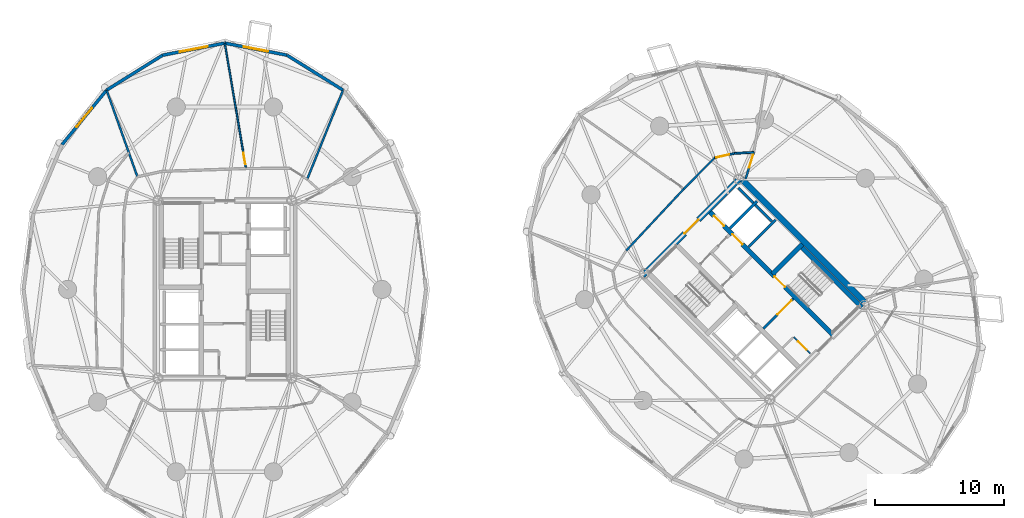
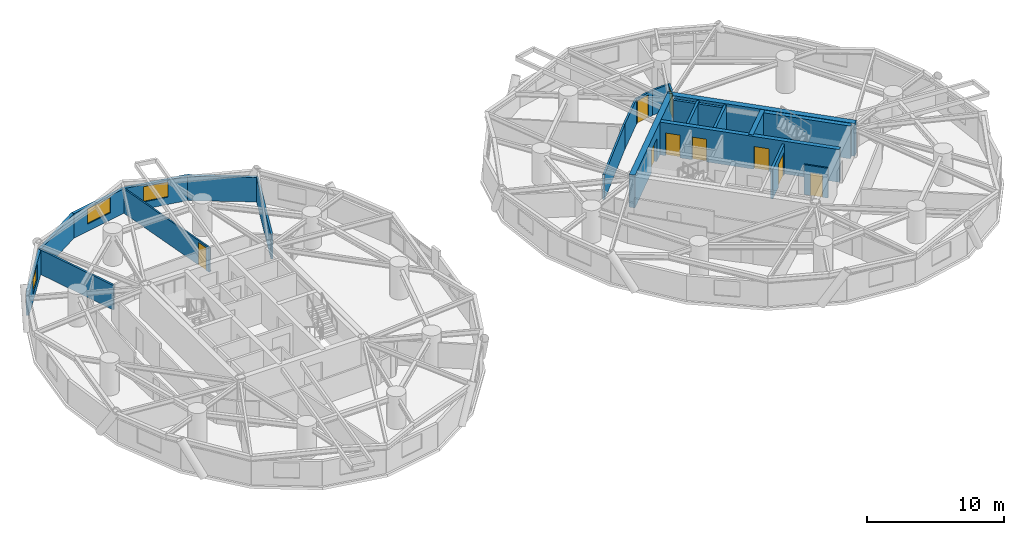
# One storey, part 13 of 17: 24 walls, 9 doors, 3 windows, 12 openings.
"""IFC4 building model written with IfcOpenShell, lengths in metres."""

from ifc_helpers import new_model, si_unit, direction, frame, frame_2d, origin, place, context, subcontext, project, spatial, rectangle, extrude, source, transform, mapped, material, layer, layer_set, type_object, element, fill, save


model = new_model("IFC4")

# Units and contexts
model_context = context("Model", 3, precision=1e-05, world=origin(), true_north=direction((0.0, 1.0)))
body_context = subcontext(model_context, "Body", "Model", "MODEL_VIEW")
ifc_project = project(units=[si_unit("LENGTHUNIT", "METRE"), si_unit("AREAUNIT", "SQUARE_METRE"), si_unit("VOLUMEUNIT", "CUBIC_METRE"), si_unit("PLANEANGLEUNIT", "RADIAN"), si_unit("MASSUNIT", "GRAM", prefix="KILO")], contexts=[model_context])

# Site, building, storey
site_placement = place(None, origin())
site = spatial("IfcSite", under=ifc_project, at=site_placement, CompositionType="ELEMENT")
building_placement = place(site_placement, origin())
building = spatial("IfcBuilding", under=site, at=building_placement, Name="Cununo Teusaquillo Station Towers", CompositionType="ELEMENT")
storey_placement = place(building_placement, frame((0.0, 0.0, 116.7099609375)))
storey = spatial("IfcBuildingStorey", under=building, at=storey_placement, Name="L37", CompositionType="ELEMENT", Elevation=116.7099609375)

# Walls
ifc_material_1 = material(Name="Concrete C50/60", Category="concrete")
ifc_layer_1 = layer(ifc_material_1, 0.199951171875)
ifc_layer_set_1 = layer_set([ifc_layer_1], Name="Concrete C50/60")
wall_type_1 = type_object("IfcWallType", Name="WL-CORE-200", PredefinedType="SHEAR", material=ifc_layer_set_1)
wall_1_placement = place(storey_placement, frame((57.0615234375, 27.781005859375, 0.0), z_axis=(0.0, 0.0, 1.0), x_axis=(0.707106781187, 0.707106781187, 0.0)))
element("IfcWall", 1, at=wall_1_placement, inside=storey, type_object=wall_type_1, Name="L37 Tower B Low-Rise Lift Hoistway South Shear Wall", PredefinedType="SHEAR", context=body_context, shape_type="SweptSolid", body=[
    extrude(rectangle(XDim=2.969970703125, YDim=0.199951171875, at=frame_2d((1.48486328125, 0.0))), origin(), (0.0, 0.0, 1.0), 2.91015625),
])
wall_2_placement = place(storey_placement, frame((55.615478515625, 29.22705078125, 0.0), z_axis=(0.0, 0.0, 1.0), x_axis=(0.707147878904, 0.70706568108, 0.0)))
element("IfcWall", 2, at=wall_2_placement, inside=storey, type_object=wall_type_1, Name="L37 Tower B Low-Rise Lift Hoistway Divider Shear Wall", PredefinedType="SHEAR", context=body_context, shape_type="SweptSolid", body=[
    extrude(rectangle(XDim=2.97021484375, YDim=0.199951171875, at=frame_2d((1.485107421875, 0.0))), origin(), (0.0, 0.0, 1.0), 2.91015625),
])
wall_3_placement = place(storey_placement, frame((58.86474609375, 29.75390625, 0.0), z_axis=(0.0, 0.0, 1.0), x_axis=(-0.707174411312, 0.707039144592, 0.0)))
element("IfcWall", 3, at=wall_3_placement, inside=storey, type_object=wall_type_1, Name="L37 Tower B Low-Rise Lift 1 Shaft Rear Shear Wall", PredefinedType="SHEAR", context=body_context, shape_type="SweptSolid", body=[
    extrude(rectangle(XDim=1.804931640625, YDim=0.199951171875, at=frame_2d((0.90234375, 0.0))), origin(), (0.0, 0.0, 1.0), 2.91015625),
])
wall_4_placement = place(storey_placement, frame((57.418701171875, 31.19970703125, 0.0), z_axis=(0.0, 0.0, 1.0), x_axis=(-0.707032117043, 0.707181437447, 0.0)))
element("IfcWall", 4, at=wall_4_placement, inside=storey, type_object=wall_type_1, Name="L37 Tower B Low-Rise Lift 2 Shaft Rear Shear Wall", PredefinedType="SHEAR", context=body_context, shape_type="SweptSolid", body=[
    extrude(rectangle(XDim=1.635009765625, YDim=0.199951171875, at=frame_2d((0.8173828125, 0.0))), origin(), (0.0, 0.0, 1.0), 2.91015625),
])

# Wall, openings, doors
ifc_material_2 = material(Name="Concrete C50/60", Category="concrete")
ifc_layer_2 = layer(ifc_material_2, 0.35009765625)
ifc_layer_set_2 = layer_set([ifc_layer_2], Name="Concrete C50/60")
wall_type_2 = type_object("IfcWallType", Name="WL-CORE-350", PredefinedType="SHEAR", material=ifc_layer_set_2)
wall_5_placement = place(storey_placement, frame((63.644775390625, 20.922119140625, 0.0), z_axis=(0.0, 0.0, 1.0), x_axis=(-0.707106781187, 0.707106781187, 0.0)))
wall_5 = element("IfcWall", 5, at=wall_5_placement, inside=storey, type_object=wall_type_2, Name="L37 Tower B Core Shear Wall IE", PredefinedType="SHEAR", context=body_context, shape_type="SweptSolid", body=[
    extrude(rectangle(XDim=13.75, YDim=0.35009765625, at=frame_2d((6.875, 0.0))), origin(), (0.0, 0.0, 1.0), 2.91015625),
])
shared_shape_1 = source(origin(), body_context, "Body", "SweptSolid", [
    extrude(rectangle(XDim=1.10009765625, YDim=2.014892578125, at=frame_2d((0.550048828125, 1.00732421875))), frame((0.0, 0.18505859375, 0.0), z_axis=(0.0, -1.0, 0.0), x_axis=(1.0, 0.0, 0.0)), (0.0, 0.0, 1.0), 0.3701171875),
])
opening_1_placement = place(wall_5_placement, frame((10.0, 0.0, 0.0)))
opening_1 = element("IfcOpeningElement", 6, at=opening_1_placement, cuts=wall_5, Name="Opening LD-01", PredefinedType="OPENING", context=body_context, shape_type="MappedRepresentation", body=[
    mapped(shared_shape_1, transform((0.0, 0.0, 0.0), x_axis=(1.0, 0.0, 0.0), y_axis=(0.0, 1.0, 0.0), z_axis=(0.0, 0.0, 1.0), scale=1.0)),
])
opening_2_placement = place(wall_5_placement, frame((12.0, 0.0, 0.0)))
opening_2 = element("IfcOpeningElement", 7, at=opening_2_placement, cuts=wall_5, Name="Opening LD-01", PredefinedType="OPENING", context=body_context, shape_type="MappedRepresentation", body=[
    mapped(shared_shape_1, transform((0.0, 0.0, 0.0), x_axis=(1.0, 0.0, 0.0), y_axis=(0.0, 1.0, 0.0), z_axis=(0.0, 0.0, 1.0), scale=1.0)),
])
shared_shape_2 = source(origin(), body_context, "Body", "SweptSolid", [
    extrude(rectangle(XDim=1.14990234375, YDim=2.02001953125, at=frame_2d((0.574951171875, 1.010009765625))), frame((0.0, 0.18505859375, 0.0), z_axis=(0.0, -1.0, 0.0), x_axis=(1.0, 0.0, 0.0)), (0.0, 0.0, 1.0), 0.3701171875),
])
opening_3_placement = place(wall_5_placement, frame((5.304931640625, 0.0, 0.0)))
opening_3 = element("IfcOpeningElement", 8, at=opening_3_placement, cuts=wall_5, Name="Opening D-ST1", PredefinedType="OPENING", context=body_context, shape_type="MappedRepresentation", body=[
    mapped(shared_shape_2, transform((0.0, 0.0, 0.0), x_axis=(1.0, 0.0, 0.0), y_axis=(0.0, 1.0, 0.0), z_axis=(0.0, 0.0, 1.0), scale=1.0)),
])
ifc_material_3 = material(Name="Galvanised fire-rated hollow steel door assembly", Category="steel")
door_type_1 = type_object("IfcDoorType", Name="DR-LIFT-1100", OperationType="SLIDING_TO_LEFT", PredefinedType="DOOR", material=ifc_material_3)
shared_shape_3 = source(origin(), body_context, "Body", "SweptSolid", [
    extrude(rectangle(XDim=1.10009765625, YDim=2.014892578125, at=frame_2d((0.550048828125, 1.00732421875))), frame((0.0, 0.02490234375, 0.0), z_axis=(0.0, -1.0, 0.0), x_axis=(1.0, 0.0, 0.0)), (0.0, 0.0, 1.0), 0.050048828125),
])
door_1_placement = place(opening_1_placement, origin())
door_1 = element("IfcDoor", 9, at=door_1_placement, inside=storey, type_object=door_type_1, Name="L37 Lift PL-T2-L1 Sliding Landing Door", OperationType="SLIDING_TO_LEFT", OverallHeight=2.014892578125, OverallWidth=1.10009765625, PredefinedType="DOOR", context=body_context, shape_type="MappedRepresentation", body=[
    mapped(shared_shape_3, transform((0.0, 0.0, 0.0), x_axis=(1.0, 0.0, 0.0), y_axis=(0.0, 1.0, 0.0), z_axis=(0.0, 0.0, 1.0), scale=1.0)),
])
fill(opening_1, door_1)
door_2_placement = place(opening_2_placement, origin())
door_2 = element("IfcDoor", 10, at=door_2_placement, inside=storey, type_object=door_type_1, Name="L37 Lift PL-T2-L2 Sliding Landing Door", OperationType="SLIDING_TO_RIGHT", OverallHeight=2.014892578125, OverallWidth=1.10009765625, PredefinedType="DOOR", context=body_context, shape_type="MappedRepresentation", body=[
    mapped(shared_shape_3, transform((0.0, 0.0, 0.0), x_axis=(1.0, 0.0, 0.0), y_axis=(0.0, 1.0, 0.0), z_axis=(0.0, 0.0, 1.0), scale=1.0)),
])
fill(opening_2, door_2)
ifc_material_4 = material(Name="Galvanised fire-rated hollow steel door assembly", Category="steel")
door_type_2 = type_object("IfcDoorType", Name="DR-STAIR-1150", OperationType="NOTDEFINED", PredefinedType="DOOR", material=ifc_material_4)
shared_shape_4 = source(origin(), body_context, "Body", "SweptSolid", [
    extrude(rectangle(XDim=1.14990234375, YDim=2.02001953125, at=frame_2d((0.574951171875, 1.010009765625))), frame((0.0, 0.02490234375, 0.0), z_axis=(0.0, -1.0, 0.0), x_axis=(1.0, 0.0, 0.0)), (0.0, 0.0, 1.0), 0.050048828125),
])
door_3_placement = place(opening_3_placement, origin())
door_3 = element("IfcDoor", 11, at=door_3_placement, inside=storey, type_object=door_type_2, Name="L37 Tower B Exit Stair 2 Fire Door", OperationType="SINGLE_SWING_RIGHT", OverallHeight=2.02001953125, OverallWidth=1.14990234375, PredefinedType="DOOR", context=body_context, shape_type="MappedRepresentation", body=[
    mapped(shared_shape_4, transform((0.0, 0.0, 0.0), x_axis=(1.0, 0.0, 0.0), y_axis=(0.0, 1.0, 0.0), z_axis=(0.0, 0.0, 1.0), scale=1.0)),
])
fill(opening_3, door_3)

# Walls
wall_6_placement = place(storey_placement, frame((65.82958984375, 23.10693359375, 0.0), z_axis=(0.0, 0.0, 1.0), x_axis=(-0.707088616009, 0.707124945897, 0.0)))
element("IfcWall", 12, at=wall_6_placement, inside=storey, type_object=wall_type_2, Name="L37 Tower B Core Shear Wall ST2E", PredefinedType="SHEAR", context=body_context, shape_type="SweptSolid", body=[
    extrude(rectangle(XDim=6.72021484375, YDim=0.35009765625, at=frame_2d((3.360107421875, 0.0))), origin(), (0.0, 0.0, 1.0), 2.91015625),
])
wall_7_placement = place(storey_placement, frame((58.89306640625, 25.673828125, 0.0), z_axis=(0.0, 0.0, 1.0), x_axis=(0.707106781187, 0.707106781187, 0.0)))
element("IfcWall", 13, at=wall_7_placement, inside=storey, type_object=wall_type_2, Name="L37 Tower B Core Shear Wall ST2N", PredefinedType="SHEAR", context=body_context, shape_type="SweptSolid", body=[
    extrude(rectangle(XDim=3.284912109375, YDim=0.35009765625, at=frame_2d((1.642578125, 0.0))), origin(), (0.0, 0.0, 1.0), 2.91015625),
])
ifc_material_5 = material(Name="Concrete C60/75", Category="concrete")
ifc_layer_3 = layer(ifc_material_5, 0.449951171875)
ifc_layer_set_3 = layer_set([ifc_layer_3], Name="Concrete C60/75")
wall_type_3 = type_object("IfcWallType", Name="WL-CORE-450", PredefinedType="SHEAR", material=ifc_layer_set_3)
wall_8_placement = place(storey_placement, frame((66.303466796875, 23.2626953125, 0.0), z_axis=(0.0, 0.0, 1.0), x_axis=(-0.707106781187, 0.707106781187, 0.0)))
element("IfcWall", 14, at=wall_8_placement, inside=storey, type_object=wall_type_3, Name="L37 Tower B Core Shear Wall E", PredefinedType="SHEAR", context=body_context, shape_type="SweptSolid", body=[
    extrude(rectangle(XDim=14.19970703125, YDim=0.449951171875, at=frame_2d((7.099853515625, 0.0))), origin(), (0.0, 0.0, 1.0), 2.91015625),
])

# Wall, opening, door
wall_9_placement = place(storey_placement, frame((48.855712890625, 25.578369140625, 0.0), z_axis=(0.0, 0.0, 1.0), x_axis=(0.707106781187, 0.707106781187, 0.0)))
wall_9 = element("IfcWall", 15, at=wall_9_placement, inside=storey, type_object=wall_type_3, Name="L37 Tower B Core Shear Wall N", PredefinedType="SHEAR", context=body_context, shape_type="SweptSolid", body=[
    extrude(rectangle(XDim=10.69970703125, YDim=0.449951171875, at=frame_2d((5.349853515625, 0.0))), origin(), (0.0, 0.0, 1.0), 2.91015625),
])
shared_shape_5 = source(origin(), body_context, "Body", "SweptSolid", [
    extrude(rectangle(XDim=1.5, YDim=2.02001953125, at=frame_2d((0.75, 1.010009765625))), frame((0.0, 0.23486328125, 0.0), z_axis=(0.0, -1.0, 0.0), x_axis=(1.0, 0.0, 0.0)), (0.0, 0.0, 1.0), 0.469970703125),
])
opening_4_placement = place(wall_9_placement, frame((4.60009765625, 0.0, 0.0)))
opening_4 = element("IfcOpeningElement", 16, at=opening_4_placement, cuts=wall_9, Name="Opening D-LB1", PredefinedType="OPENING", context=body_context, shape_type="MappedRepresentation", body=[
    mapped(shared_shape_5, transform((0.0, 0.0, 0.0), x_axis=(1.0, 0.0, 0.0), y_axis=(0.0, 1.0, 0.0), z_axis=(0.0, 0.0, 1.0), scale=1.0)),
])
ifc_material_6 = material(Name="Galvanised fire-rated hollow steel door assembly", Category="steel")
door_type_3 = type_object("IfcDoorType", Name="DR-LOBBY-1500", OperationType="DOUBLE_DOOR_SINGLE_SWING", PredefinedType="DOOR", material=ifc_material_6)
shared_shape_6 = source(origin(), body_context, "Body", "SweptSolid", [
    extrude(rectangle(XDim=1.5, YDim=2.02001953125, at=frame_2d((0.75, 1.010009765625))), frame((0.0, 0.02490234375, 0.0), z_axis=(0.0, -1.0, 0.0), x_axis=(1.0, 0.0, 0.0)), (0.0, 0.0, 1.0), 0.050048828125),
])
door_4_placement = place(opening_4_placement, origin())
door_4 = element("IfcDoor", 17, at=door_4_placement, inside=storey, type_object=door_type_3, Name="L37 Tower B North Core Lift Lobby Door", OperationType="DOUBLE_DOOR_SINGLE_SWING", OverallHeight=2.02001953125, OverallWidth=1.5, PredefinedType="DOOR", context=body_context, shape_type="MappedRepresentation", body=[
    mapped(shared_shape_6, transform((0.0, 0.0, 0.0), x_axis=(1.0, 0.0, 0.0), y_axis=(0.0, 1.0, 0.0), z_axis=(0.0, 0.0, 1.0), scale=1.0)),
])
fill(opening_4, door_4)

# Wall
ifc_material_7 = material(Name="Precast concrete C40/50", Category="concrete")
ifc_layer_4 = layer(ifc_material_7, 0.239990234375)
ifc_layer_set_4 = layer_set([ifc_layer_4], Name="Precast concrete C40/50")
wall_type_4 = type_object("IfcWallType", Name="WL-EXT-240", PredefinedType="SOLIDWALL", material=ifc_layer_set_4)
wall_10_placement = place(storey_placement, frame((21.314697265625, 42.63671875, 0.0), z_axis=(0.0, 0.0, 1.0), x_axis=(0.848520380187, -0.529162701263, 0.0)))
element("IfcWall", 18, at=wall_10_placement, inside=storey, type_object=wall_type_4, Name="L37 Tower A Exterior Facade Wall C03", PredefinedType="SOLIDWALL", context=body_context, shape_type="SweptSolid", body=[
    extrude(rectangle(XDim=5.118896484375, YDim=0.239990234375, at=frame_2d((2.5595703125, 0.0))), origin(), (0.0, 0.0, 1.0), 2.178955078125),
])

# Wall, opening, window
wall_11_placement = place(storey_placement, frame((16.5, 43.570068359375, 0.0), z_axis=(0.0, 0.0, 1.0), x_axis=(0.981723785992, -0.190311344954, 0.0)))
wall_11 = element("IfcWall", 19, at=wall_11_placement, inside=storey, type_object=wall_type_4, Name="L37 Tower A Exterior Facade Wall C04", PredefinedType="SOLIDWALL", context=body_context, shape_type="SweptSolid", body=[
    extrude(rectangle(XDim=4.904296875, YDim=0.239990234375, at=frame_2d((2.4521484375, 0.0))), origin(), (0.0, 0.0, 1.0), 2.178955078125),
])
shared_shape_7 = source(origin(), body_context, "Body", "SweptSolid", [
    extrude(rectangle(XDim=1.89990234375, YDim=1.35009765625, at=frame_2d((0.949951171875, 0.675048828125))), frame((0.0, 0.1298828125, 0.0), z_axis=(0.0, -1.0, 0.0), x_axis=(1.0, 0.0, 0.0)), (0.0, 0.0, 1.0), 0.260009765625),
])
opening_5_placement = place(wall_11_placement, frame((1.501953125, 0.0, 0.64990234375)))
opening_5 = element("IfcOpeningElement", 20, at=opening_5_placement, cuts=wall_11, Name="Opening WN-02", PredefinedType="OPENING", context=body_context, shape_type="MappedRepresentation", body=[
    mapped(shared_shape_7, transform((0.0, 0.0, 0.0), x_axis=(1.0, 0.0, 0.0), y_axis=(0.0, 1.0, 0.0), z_axis=(0.0, 0.0, 1.0), scale=1.0)),
])
ifc_material_8 = material(Name="Operable acoustic tinted low-E double glazing", Category="glass")
window_type_1 = type_object("IfcWindowType", Name="WIN-OPER-1900", PartitioningType="DOUBLE_PANEL_VERTICAL", PredefinedType="WINDOW", material=ifc_material_8)
shared_shape_8 = source(origin(), body_context, "Body", "SweptSolid", [
    extrude(rectangle(XDim=1.89990234375, YDim=1.35009765625, at=frame_2d((0.949951171875, 0.675048828125))), frame((0.0, 0.030029296875, 0.0), z_axis=(0.0, -1.0, 0.0), x_axis=(1.0, 0.0, 0.0)), (0.0, 0.0, 1.0), 0.06005859375),
])
window_1_placement = place(opening_5_placement, origin())
window_1 = element("IfcWindow", 21, at=window_1_placement, inside=storey, type_object=window_type_1, Name="L37 Tower A Facade Window C04", OverallHeight=1.35009765625, OverallWidth=1.89990234375, PartitioningType="DOUBLE_PANEL_VERTICAL", PredefinedType="WINDOW", context=body_context, shape_type="MappedRepresentation", body=[
    mapped(shared_shape_8, transform((0.0, 0.0, 0.0), x_axis=(1.0, 0.0, 0.0), y_axis=(0.0, 1.0, 0.0), z_axis=(0.0, 0.0, 1.0), scale=1.0)),
])
fill(opening_5, window_1)

wall_12_placement = place(storey_placement, frame((11.685302734375, 42.63671875, 0.0), z_axis=(0.0, 0.0, 1.0), x_axis=(0.981723785992, 0.190311344954, 0.0)))
wall_12 = element("IfcWall", 22, at=wall_12_placement, inside=storey, type_object=wall_type_4, Name="L37 Tower A Exterior Facade Wall C05", PredefinedType="SOLIDWALL", context=body_context, shape_type="SweptSolid", body=[
    extrude(rectangle(XDim=4.904296875, YDim=0.239990234375, at=frame_2d((2.4521484375, 0.0))), origin(), (0.0, 0.0, 1.0), 2.178955078125),
])
shared_shape_9 = source(origin(), body_context, "Body", "SweptSolid", [
    extrude(rectangle(XDim=2.199951171875, YDim=1.35009765625, at=frame_2d((1.10009765625, 0.675048828125))), frame((0.0, 0.1298828125, 0.0), z_axis=(0.0, -1.0, 0.0), x_axis=(1.0, 0.0, 0.0)), (0.0, 0.0, 1.0), 0.260009765625),
])
opening_6_placement = place(wall_12_placement, frame((1.35205078125, 0.0, 0.64990234375)))
opening_6 = element("IfcOpeningElement", 23, at=opening_6_placement, cuts=wall_12, Name="Opening WN-01", PredefinedType="OPENING", context=body_context, shape_type="MappedRepresentation", body=[
    mapped(shared_shape_9, transform((0.0, 0.0, 0.0), x_axis=(1.0, 0.0, 0.0), y_axis=(0.0, 1.0, 0.0), z_axis=(0.0, 0.0, 1.0), scale=1.0)),
])
ifc_material_9 = material(Name="Ceramic-fritted dark low-E double glazing", Category="glass")
window_type_2 = type_object("IfcWindowType", Name="WIN-FRIT-2200", PartitioningType="DOUBLE_PANEL_VERTICAL", PredefinedType="WINDOW", material=ifc_material_9)
shared_shape_10 = source(origin(), body_context, "Body", "SweptSolid", [
    extrude(rectangle(XDim=2.199951171875, YDim=1.35009765625, at=frame_2d((1.10009765625, 0.675048828125))), frame((0.0, 0.030029296875, 0.0), z_axis=(0.0, -1.0, 0.0), x_axis=(1.0, 0.0, 0.0)), (0.0, 0.0, 1.0), 0.06005859375),
])
window_2_placement = place(opening_6_placement, origin())
window_2 = element("IfcWindow", 24, at=window_2_placement, inside=storey, type_object=window_type_2, Name="L37 Tower A Facade Window C05", OverallHeight=1.35009765625, OverallWidth=2.199951171875, PartitioningType="DOUBLE_PANEL_VERTICAL", PredefinedType="WINDOW", context=body_context, shape_type="MappedRepresentation", body=[
    mapped(shared_shape_10, transform((0.0, 0.0, 0.0), x_axis=(1.0, 0.0, 0.0), y_axis=(0.0, 1.0, 0.0), z_axis=(0.0, 0.0, 1.0), scale=1.0)),
])
fill(opening_6, window_2)

# Wall
wall_13_placement = place(storey_placement, frame((7.341796875, 39.927978515625, 0.0), z_axis=(0.0, 0.0, 1.0), x_axis=(0.848520380187, 0.529162701263, 0.0)))
element("IfcWall", 25, at=wall_13_placement, inside=storey, type_object=wall_type_4, Name="L37 Tower A Exterior Facade Wall C06", PredefinedType="SOLIDWALL", context=body_context, shape_type="SweptSolid", body=[
    extrude(rectangle(XDim=5.118896484375, YDim=0.239990234375, at=frame_2d((2.5595703125, 0.0))), origin(), (0.0, 0.0, 1.0), 2.178955078125),
])

# Wall, opening, window
wall_14_placement = place(storey_placement, frame((3.894775390625, 35.708984375, 0.0), z_axis=(0.0, 0.0, 1.0), x_axis=(0.632700781152, 0.77439635945, 0.0)))
wall_14 = element("IfcWall", 26, at=wall_14_placement, inside=storey, type_object=wall_type_4, Name="L37 Tower A Exterior Facade Wall C07", PredefinedType="SOLIDWALL", context=body_context, shape_type="SweptSolid", body=[
    extrude(rectangle(XDim=5.447998046875, YDim=0.239990234375, at=frame_2d((2.72412109375, 0.0))), origin(), (0.0, 0.0, 1.0), 2.178955078125),
])
opening_7_placement = place(wall_14_placement, frame((1.77392578125, 0.0, 0.64990234375)))
opening_7 = element("IfcOpeningElement", 27, at=opening_7_placement, cuts=wall_14, Name="Opening WN-02", PredefinedType="OPENING", context=body_context, shape_type="MappedRepresentation", body=[
    mapped(shared_shape_7, transform((0.0, 0.0, 0.0), x_axis=(1.0, 0.0, 0.0), y_axis=(0.0, 1.0, 0.0), z_axis=(0.0, 0.0, 1.0), scale=1.0)),
])
window_3_placement = place(opening_7_placement, origin())
window_3 = element("IfcWindow", 28, at=window_3_placement, inside=storey, type_object=window_type_1, Name="L37 Tower A Facade Window C07", OverallHeight=1.35009765625, OverallWidth=1.89990234375, PartitioningType="DOUBLE_PANEL_VERTICAL", PredefinedType="WINDOW", context=body_context, shape_type="MappedRepresentation", body=[
    mapped(shared_shape_8, transform((0.0, 0.0, 0.0), x_axis=(1.0, 0.0, 0.0), y_axis=(0.0, 1.0, 0.0), z_axis=(0.0, 0.0, 1.0), scale=1.0)),
])
fill(opening_7, window_3)

# Wall, opening, door
ifc_material_10 = material(Name="Fire-rated gypsum plasterboard partition assembly", Category="gypsum")
ifc_layer_5 = layer(ifc_material_10, 0.125)
ifc_layer_set_5 = layer_set([ifc_layer_5], Name="Fire-rated gypsum plasterboard partition assembly")
wall_type_5 = type_object("IfcWallType", Name="WL-PART-125", PredefinedType="PARTITIONING", material=ifc_layer_set_5)
wall_15_placement = place(storey_placement, frame((18.142822265625, 33.859619140625, 0.0), z_axis=(0.0, 0.0, 1.0), x_axis=(-0.167145472003, 0.985932244725, 0.0)))
wall_15 = element("IfcWall", 29, at=wall_15_placement, inside=storey, type_object=wall_type_5, Name="L37 Tower A Executive C-Suite Corner Office Suite Subdividing Wall", PredefinedType="PARTITIONING", context=body_context, shape_type="SweptSolid", body=[
    extrude(rectangle(XDim=9.82861328125, YDim=0.125, at=frame_2d((4.914306640625, 0.0))), origin(), (0.0, 0.0, 1.0), 2.178955078125),
])
shared_shape_11 = source(origin(), body_context, "Body", "SweptSolid", [
    extrude(rectangle(XDim=0.89990234375, YDim=2.0048828125, at=frame_2d((0.449951171875, 1.00244140625))), frame((0.0, 0.072509765625, 0.0), z_axis=(0.0, -1.0, 0.0), x_axis=(1.0, 0.0, 0.0)), (0.0, 0.0, 1.0), 0.14501953125),
])
opening_8_placement = place(wall_15_placement, frame((0.330078125, 0.0, 0.0)))
opening_8 = element("IfcOpeningElement", 30, at=opening_8_placement, cuts=wall_15, Name="Opening D-IN1", PredefinedType="OPENING", context=body_context, shape_type="MappedRepresentation", body=[
    mapped(shared_shape_11, transform((0.0, 0.0, 0.0), x_axis=(1.0, 0.0, 0.0), y_axis=(0.0, 1.0, 0.0), z_axis=(0.0, 0.0, 1.0), scale=1.0)),
])
ifc_material_11 = material(Name="Acoustic solid-core hardwood leaf assembly", Category="wood")
door_type_4 = type_object("IfcDoorType", Name="DR-INT-900", OperationType="NOTDEFINED", PredefinedType="DOOR", material=ifc_material_11)
shared_shape_12 = source(origin(), body_context, "Body", "SweptSolid", [
    extrude(rectangle(XDim=0.89990234375, YDim=2.0048828125, at=frame_2d((0.449951171875, 1.00244140625))), frame((0.0, 0.02490234375, 0.0), z_axis=(0.0, -1.0, 0.0), x_axis=(1.0, 0.0, 0.0)), (0.0, 0.0, 1.0), 0.050048828125),
])
door_5_placement = place(opening_8_placement, origin())
door_5 = element("IfcDoor", 31, at=door_5_placement, inside=storey, type_object=door_type_4, Name="L37 Tower A Executive C-Suite Corner Office Suite Connecting Door", OperationType="SINGLE_SWING_LEFT", OverallHeight=2.0048828125, OverallWidth=0.89990234375, PredefinedType="DOOR", context=body_context, shape_type="MappedRepresentation", body=[
    mapped(shared_shape_12, transform((0.0, 0.0, 0.0), x_axis=(1.0, 0.0, 0.0), y_axis=(0.0, 1.0, 0.0), z_axis=(0.0, 0.0, 1.0), scale=1.0)),
])
fill(opening_8, door_5)

wall_16_placement = place(storey_placement, frame((61.834716796875, 19.529052734375, 0.0), z_axis=(0.0, 0.0, 1.0), x_axis=(-0.707174592913, 0.707038962956, 0.0)))
wall_16 = element("IfcWall", 32, at=wall_16_placement, inside=storey, type_object=wall_type_5, Name="L37 Tower B South-West Compact Store East Wall", PredefinedType="PARTITIONING", context=body_context, shape_type="SweptSolid", body=[
    extrude(rectangle(XDim=1.800048828125, YDim=0.125, at=frame_2d((0.89990234375, 0.0))), origin(), (0.0, 0.0, 1.0), 2.655029296875),
])
opening_9_placement = place(wall_16_placement, frame((0.419921875, 0.0, 0.0)))
opening_9 = element("IfcOpeningElement", 33, at=opening_9_placement, cuts=wall_16, Name="Opening D-SR1", PredefinedType="OPENING", context=body_context, shape_type="MappedRepresentation", body=[
    mapped(shared_shape_11, transform((0.0, 0.0, 0.0), x_axis=(1.0, 0.0, 0.0), y_axis=(0.0, 1.0, 0.0), z_axis=(0.0, 0.0, 1.0), scale=1.0)),
])
ifc_material_12 = material(Name="Galvanised fire-rated hollow steel door assembly", Category="steel")
door_type_5 = type_object("IfcDoorType", Name="DR-STORE-900", OperationType="NOTDEFINED", PredefinedType="DOOR", material=ifc_material_12)
door_6_placement = place(opening_9_placement, origin())
door_6 = element("IfcDoor", 34, at=door_6_placement, inside=storey, type_object=door_type_5, Name="L37 Tower B Core Electrical & Comms Store Door", OperationType="SINGLE_SWING_LEFT", OverallHeight=2.0048828125, OverallWidth=0.89990234375, PredefinedType="DOOR", context=body_context, shape_type="MappedRepresentation", body=[
    mapped(shared_shape_12, transform((0.0, 0.0, 0.0), x_axis=(1.0, 0.0, 0.0), y_axis=(0.0, 1.0, 0.0), z_axis=(0.0, 0.0, 1.0), scale=1.0)),
])
fill(opening_9, door_6)

# Wall
ifc_material_13 = material(Name="Fire-rated gypsum plasterboard partition assembly", Category="gypsum")
ifc_layer_6 = layer(ifc_material_13, 0.14990234375)
ifc_layer_set_6 = layer_set([ifc_layer_6], Name="Fire-rated gypsum plasterboard partition assembly")
wall_type_6 = type_object("IfcWallType", Name="WL-PART-150", PredefinedType="PARTITIONING", material=ifc_layer_set_6)
wall_17_placement = place(storey_placement, frame((57.466796875, 35.111328125, 0.0), z_axis=(0.0, 0.0, 1.0), x_axis=(-0.998691757323, -0.051134859488, 0.0)))
element("IfcWall", 35, at=wall_17_placement, inside=storey, type_object=wall_type_6, Name="L37 Tower B Corridor Ring Wall C02", PredefinedType="PARTITIONING", context=body_context, shape_type="SweptSolid", body=[
    extrude(rectangle(XDim=1.48486328125, YDim=0.14990234375, at=frame_2d((0.742431640625, 0.0))), origin(), (0.0, 0.0, 1.0), 2.22509765625),
])

# Wall, opening, door
wall_18_placement = place(storey_placement, frame((55.98388671875, 35.035400390625, 0.0), z_axis=(0.0, 0.0, 1.0), x_axis=(-0.975290305708, -0.22092718165, 0.0)))
wall_18 = element("IfcWall", 36, at=wall_18_placement, inside=storey, type_object=wall_type_6, Name="L37 Tower B Corridor Ring Wall C03", PredefinedType="PARTITIONING", context=body_context, shape_type="SweptSolid", body=[
    extrude(rectangle(XDim=1.596923828125, YDim=0.14990234375, at=frame_2d((0.79833984375, 0.0))), origin(), (0.0, 0.0, 1.0), 2.22509765625),
])
shared_shape_13 = source(origin(), body_context, "Body", "SweptSolid", [
    extrude(rectangle(XDim=1.050048828125, YDim=2.014892578125, at=frame_2d((0.52490234375, 1.00732421875))), frame((0.0, 0.0849609375, 0.0), z_axis=(0.0, -1.0, 0.0), x_axis=(1.0, 0.0, 0.0)), (0.0, 0.0, 1.0), 0.169921875),
])
opening_10_placement = place(wall_18_placement, frame((0.4267578125, 0.0, 0.0)))
opening_10 = element("IfcOpeningElement", 37, at=opening_10_placement, cuts=wall_18, Name="Opening D-SU1", PredefinedType="OPENING", context=body_context, shape_type="MappedRepresentation", body=[
    mapped(shared_shape_13, transform((0.0, 0.0, 0.0), x_axis=(1.0, 0.0, 0.0), y_axis=(0.0, 1.0, 0.0), z_axis=(0.0, 0.0, 1.0), scale=1.0)),
])
ifc_material_14 = material(Name="Acoustic solid-core hardwood leaf assembly", Category="wood")
door_type_6 = type_object("IfcDoorType", Name="DR-SUITE-1050", OperationType="NOTDEFINED", PredefinedType="DOOR", material=ifc_material_14)
shared_shape_14 = source(origin(), body_context, "Body", "SweptSolid", [
    extrude(rectangle(XDim=1.050048828125, YDim=2.014892578125, at=frame_2d((0.52490234375, 1.00732421875))), frame((0.0, 0.02490234375, 0.0), z_axis=(0.0, -1.0, 0.0), x_axis=(1.0, 0.0, 0.0)), (0.0, 0.0, 1.0), 0.050048828125),
])
door_7_placement = place(opening_10_placement, origin())
door_7 = element("IfcDoor", 38, at=door_7_placement, inside=storey, type_object=door_type_6, Name="L37 Tower B Executive C-Suite Corner Office Entrance Door", OperationType="SINGLE_SWING_LEFT", OverallHeight=2.014892578125, OverallWidth=1.050048828125, PredefinedType="DOOR", context=body_context, shape_type="MappedRepresentation", body=[
    mapped(shared_shape_14, transform((0.0, 0.0, 0.0), x_axis=(1.0, 0.0, 0.0), y_axis=(0.0, 1.0, 0.0), z_axis=(0.0, 0.0, 1.0), scale=1.0)),
])
fill(opening_10, door_7)

# Walls
wall_19_placement = place(storey_placement, frame((54.426513671875, 34.6826171875, 0.0), z_axis=(0.0, 0.0, 1.0), x_axis=(-0.704178989986, -0.710022499687, 0.0)))
element("IfcWall", 39, at=wall_19_placement, inside=storey, type_object=wall_type_6, Name="L37 Tower B Corridor Ring Wall C04", PredefinedType="PARTITIONING", context=body_context, shape_type="SweptSolid", body=[
    extrude(rectangle(XDim=3.38427734375, YDim=0.14990234375, at=frame_2d((1.692138671875, 0.0))), origin(), (0.0, 0.0, 1.0), 2.22509765625),
])
wall_20_placement = place(storey_placement, frame((52.04345703125, 32.27978515625, 0.0), z_axis=(0.0, 0.0, 1.0), x_axis=(-0.682606081633, -0.730786519661, 0.0)))
element("IfcWall", 40, at=wall_20_placement, inside=storey, type_object=wall_type_6, Name="L37 Tower B Corridor Ring Wall C05", PredefinedType="PARTITIONING", context=body_context, shape_type="SweptSolid", body=[
    extrude(rectangle(XDim=6.526611328125, YDim=0.14990234375, at=frame_2d((3.26318359375, 0.0))), origin(), (0.0, 0.0, 1.0), 2.22509765625),
])
ifc_material_15 = material(Name="Fire-rated gypsum plasterboard partition assembly", Category="gypsum")
ifc_layer_7 = layer(ifc_material_15, 0.159912109375)
ifc_layer_set_7 = layer_set([ifc_layer_7], Name="Fire-rated gypsum plasterboard partition assembly")
wall_type_7 = type_object("IfcWallType", Name="WL-PART-160", PredefinedType="PARTITIONING", material=ifc_layer_set_7)
wall_21_placement = place(storey_placement, frame((22.87744140625, 33.021728515625, 0.0), z_axis=(0.0, 0.0, 1.0), x_axis=(0.372898022516, 0.927872332168, 0.0)))
element("IfcWall", 41, at=wall_21_placement, inside=storey, type_object=wall_type_7, Name="L37 Tower A Radial Suite Partition R02", PredefinedType="PARTITIONING", context=body_context, shape_type="SweptSolid", body=[
    extrude(rectangle(XDim=7.42578125, YDim=0.159912109375, at=frame_2d((3.712890625, 0.0))), origin(), (0.0, 0.0, 1.0), 2.178955078125),
])
wall_22_placement = place(storey_placement, frame((9.7294921875, 33.224853515625, 0.0), z_axis=(0.0, 0.0, 1.0), x_axis=(-0.334806049563, 0.942287063042, 0.0)))
element("IfcWall", 42, at=wall_22_placement, inside=storey, type_object=wall_type_7, Name="L37 Tower A Radial Suite Partition R03", PredefinedType="PARTITIONING", context=body_context, shape_type="SweptSolid", body=[
    extrude(rectangle(XDim=7.0966796875, YDim=0.159912109375, at=frame_2d((3.54833984375, 0.0))), origin(), (0.0, 0.0, 1.0), 2.178955078125),
])

# Wall, opening, door
wall_23_placement = place(storey_placement, frame((56.828125, 33.055908203125, 0.0), z_axis=(0.0, 0.0, 1.0), x_axis=(0.296730996083, 0.954961107042, 0.0)))
wall_23 = element("IfcWall", 43, at=wall_23_placement, inside=storey, type_object=wall_type_7, Name="L37 Tower B East Salon Corridor Portal Wall NE", PredefinedType="PARTITIONING", context=body_context, shape_type="SweptSolid", body=[
    extrude(rectangle(XDim=2.15234375, YDim=0.159912109375, at=frame_2d((1.076171875, 0.0))), origin(), (0.0, 0.0, 1.0), 2.22509765625),
])
shared_shape_15 = source(origin(), body_context, "Body", "SweptSolid", [
    extrude(rectangle(XDim=1.050048828125, YDim=2.014892578125, at=frame_2d((0.52490234375, 1.00732421875))), frame((0.0, 0.08984375, 0.0), z_axis=(0.0, -1.0, 0.0), x_axis=(1.0, 0.0, 0.0)), (0.0, 0.0, 1.0), 0.179931640625),
])
opening_11_placement = place(wall_23_placement, frame((0.902099609375, 0.0, 0.0)))
opening_11 = element("IfcOpeningElement", 44, at=opening_11_placement, cuts=wall_23, Name="Opening D-SU1", PredefinedType="OPENING", context=body_context, shape_type="MappedRepresentation", body=[
    mapped(shared_shape_15, transform((0.0, 0.0, 0.0), x_axis=(1.0, 0.0, 0.0), y_axis=(0.0, 1.0, 0.0), z_axis=(0.0, 0.0, 1.0), scale=1.0)),
])
door_8_placement = place(opening_11_placement, origin())
door_8 = element("IfcDoor", 45, at=door_8_placement, inside=storey, type_object=door_type_6, Name="L37 Tower B East Panorama Sky Salon Door NE", OperationType="SINGLE_SWING_LEFT", OverallHeight=2.014892578125, OverallWidth=1.050048828125, PredefinedType="DOOR", context=body_context, shape_type="MappedRepresentation", body=[
    mapped(shared_shape_14, transform((0.0, 0.0, 0.0), x_axis=(1.0, 0.0, 0.0), y_axis=(0.0, 1.0, 0.0), z_axis=(0.0, 0.0, 1.0), scale=1.0)),
])
fill(opening_11, door_8)

ifc_material_16 = material(Name="Fire-rated gypsum plasterboard partition assembly", Category="gypsum")
ifc_layer_8 = layer(ifc_material_16, 0.199951171875)
ifc_layer_set_8 = layer_set([ifc_layer_8], Name="Fire-rated gypsum plasterboard partition assembly")
wall_type_8 = type_object("IfcWallType", Name="WL-PART-200", PredefinedType="PARTITIONING", material=ifc_layer_set_8)
wall_24_placement = place(storey_placement, frame((58.214111328125, 21.466552734375, 0.0), z_axis=(0.0, 0.0, 1.0), x_axis=(0.707106781187, 0.707106781187, 0.0)))
wall_24 = element("IfcWall", 46, at=wall_24_placement, inside=storey, type_object=wall_type_8, Name="L37 Tower B Firefighting Lift Lobby South Fire Wall", PredefinedType="PARTITIONING", context=body_context, shape_type="SweptSolid", body=[
    extrude(rectangle(XDim=3.280029296875, YDim=0.199951171875, at=frame_2d((1.64013671875, 0.0))), origin(), (0.0, 0.0, 1.0), 2.655029296875),
])
shared_shape_16 = source(origin(), body_context, "Body", "SweptSolid", [
    extrude(rectangle(XDim=1.5, YDim=2.02001953125, at=frame_2d((0.75, 1.010009765625))), frame((0.0, 0.10986328125, 0.0), z_axis=(0.0, -1.0, 0.0), x_axis=(1.0, 0.0, 0.0)), (0.0, 0.0, 1.0), 0.219970703125),
])
opening_12_placement = place(wall_24_placement, frame((1.550048828125, 0.0, 0.0)))
opening_12 = element("IfcOpeningElement", 47, at=opening_12_placement, cuts=wall_24, Name="Opening D-LB1", PredefinedType="OPENING", context=body_context, shape_type="MappedRepresentation", body=[
    mapped(shared_shape_16, transform((0.0, 0.0, 0.0), x_axis=(1.0, 0.0, 0.0), y_axis=(0.0, 1.0, 0.0), z_axis=(0.0, 0.0, 1.0), scale=1.0)),
])
door_9_placement = place(opening_12_placement, origin())
door_9 = element("IfcDoor", 48, at=door_9_placement, inside=storey, type_object=door_type_3, Name="L37 Tower B Firefighting Lift Lobby South Fire Door", OperationType="DOUBLE_DOOR_SINGLE_SWING", OverallHeight=2.02001953125, OverallWidth=1.5, PredefinedType="DOOR", context=body_context, shape_type="MappedRepresentation", body=[
    mapped(shared_shape_6, transform((0.0, 0.0, 0.0), x_axis=(1.0, 0.0, 0.0), y_axis=(0.0, 1.0, 0.0), z_axis=(0.0, 0.0, 1.0), scale=1.0)),
])
fill(opening_12, door_9)

save(model, "model.ifc")
